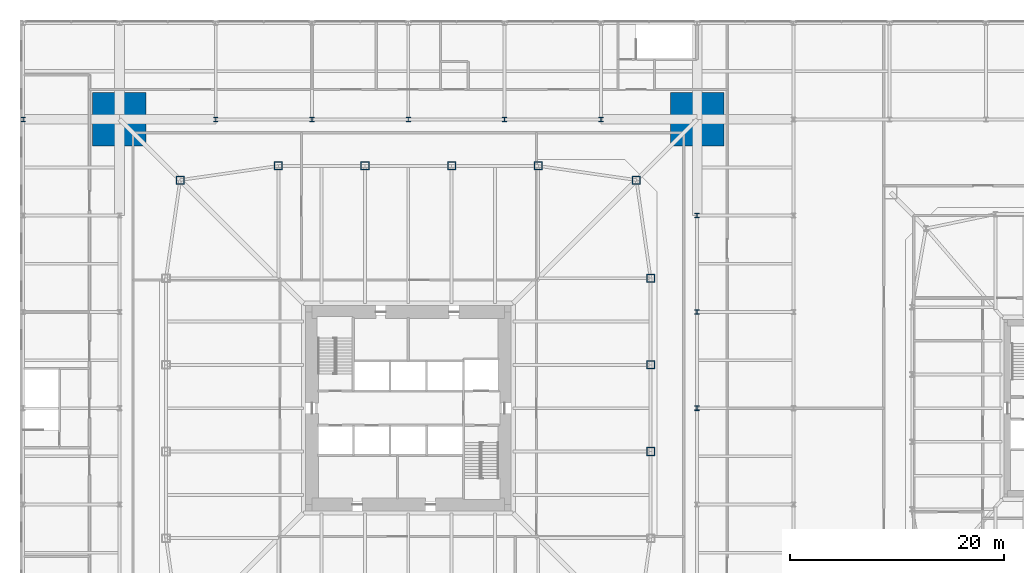
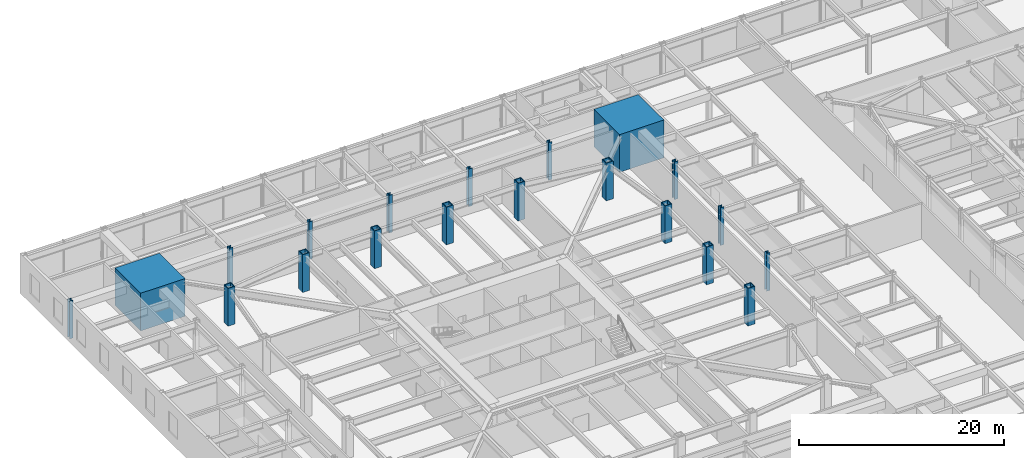
# One storey, part 2 of 30: 20 columns.
"""IFC4 building model written with IfcOpenShell, lengths in metres."""

import ifcopenshell
import ifcopenshell.guid

model = None  # the IFC model being written
_history = None  # IfcOwnerHistory: only IFC2X3 demands one
_inside = {}  # id of a spatial element -> (the spatial element, [elements in it])
_under = {}  # id of a project, library or spatial element -> (it, [spatial elements below it])
_declared = {}  # id of a project -> (the project, [libraries it declares])
_typed = {}  # id of a type object -> (the type object, [elements of that type])
_made_of = {}  # id of a material, layer set ... -> (it, [elements and type objects made of it])


def new_model(schema):
    """Start an empty IFC model of exactly this schema.

    Asked for "IFC4X3", IfcOpenShell would pick the latest addendum, in which some entities
    have other attributes; the version numbers below select the first issue.
    IFC2X3 requires an IfcOwnerHistory on every rooted entity: one is made here for all.
    """
    global model, _history
    if schema == "IFC4X3":
        model = ifcopenshell.file(schema_version=(4, 3, 0, 0))
    else:
        model = ifcopenshell.file(schema=schema)
    _inside.clear()
    _under.clear()
    _declared.clear()
    _typed.clear()
    _made_of.clear()
    _history = None
    if model.schema == "IFC2X3":
        org = make("IfcOrganization", Name="unknown")
        user = make(
            "IfcPersonAndOrganization",
            ThePerson=make("IfcPerson", FamilyName="unknown"),
            TheOrganization=org,
        )
        app = make(
            "IfcApplication",
            ApplicationDeveloper=org,
            Version="unknown",
            ApplicationFullName="unknown",
            ApplicationIdentifier="unknown",
        )
        _history = make(
            "IfcOwnerHistory",
            OwningUser=user,
            OwningApplication=app,
            ChangeAction="ADDED",
            CreationDate=0,
        )
    return model


def make(cls, **values):
    """One entity of the class cls with the attributes given. An attribute that is None is left unset."""
    return model.create_entity(
        cls, **{name: value for name, value in values.items() if value is not None}
    )


def rooted(cls, **values):
    """An entity with a GlobalId (a new one), such as an element, a storey or a relation."""
    return make(cls, GlobalId=ifcopenshell.guid.new(), OwnerHistory=_history, **values)


def si_unit(unit_type, name, prefix=None):
    """IfcSIUnit, for example si_unit("LENGTHUNIT", "METRE", prefix="MILLI")."""
    return make("IfcSIUnit", UnitType=unit_type, Prefix=prefix, Name=name)


def assignment(units):
    """IfcUnitAssignment: the units of a project."""
    return None if units is None else make("IfcUnitAssignment", Units=units)


def point(xyz):
    """IfcCartesianPoint."""
    return None if xyz is None else make("IfcCartesianPoint", Coordinates=xyz)


def direction(xyz):
    """IfcDirection."""
    return None if xyz is None else make("IfcDirection", DirectionRatios=xyz)


def frame(location, z_axis=None, x_axis=None):
    """IfcAxis2Placement3D, a coordinate frame: its origin and axes. An axis left out is left unset."""
    return make(
        "IfcAxis2Placement3D",
        Location=point(location),
        Axis=direction(z_axis),
        RefDirection=direction(x_axis),
    )


def frame_2d(location, x_axis=None):
    """IfcAxis2Placement2D, a coordinate frame in the plane: its origin and x axis."""
    return make(
        "IfcAxis2Placement2D", Location=point(location), RefDirection=direction(x_axis)
    )


def origin():
    """The frame at (0, 0, 0) with its axes left unset."""
    return frame((0.0, 0.0, 0.0))


def origin_2d():
    """The frame at (0, 0) in the plane with its x axis left unset."""
    return frame_2d((0.0, 0.0))


def place(relative_to, where):
    """IfcLocalPlacement: puts the frame where relative to a parent placement (None: the world)."""
    return make(
        "IfcLocalPlacement", PlacementRelTo=relative_to, RelativePlacement=where
    )


def context(
    kind, dimensions, precision=None, world=None, true_north=None, identifier=None
):
    """IfcGeometricRepresentationContext, for example the 3D "Model" context."""
    return make(
        "IfcGeometricRepresentationContext",
        ContextIdentifier=identifier,
        ContextType=kind,
        CoordinateSpaceDimension=dimensions,
        Precision=precision,
        WorldCoordinateSystem=world,
        TrueNorth=true_north,
    )


def subcontext(parent, identifier, kind, view, scale=None):
    """IfcGeometricRepresentationSubContext, for example "Body" below "Model"."""
    return make(
        "IfcGeometricRepresentationSubContext",
        ContextIdentifier=identifier,
        ContextType=kind,
        ParentContext=parent,
        TargetScale=scale,
        TargetView=view,
    )


def project(units=None, contexts=None):
    """IfcProject with its units and contexts."""
    return rooted(
        "IfcProject",
        Name="project",
        RepresentationContexts=contexts,
        UnitsInContext=assignment(units),
    )


def spatial(cls, under=None, at=None, **own):
    """A site, building, storey or space (cls), placed at a placement, below another one or the project."""
    s = rooted(cls, ObjectPlacement=at, **own)
    if under is not None:
        _under.setdefault(under.id(), (under, []))[1].append(s)
    return s


def profile(cls, at=None, kind="AREA", **sizes):
    """A parametric profile (cls). Its sizes go by their IFC names, for example OverallWidth=200.0."""
    return make(cls, ProfileType=kind, Position=at, **sizes)


def rectangle(**sizes):
    """IfcRectangleProfileDef."""
    return profile("IfcRectangleProfileDef", **sizes)


def hollow_rectangle(**sizes):
    """IfcRectangleHollowProfileDef."""
    return profile("IfcRectangleHollowProfileDef", **sizes)


def i_section(**sizes):
    """IfcIShapeProfileDef."""
    return profile("IfcIShapeProfileDef", **sizes)


def extrude(swept, where, along, depth):
    """IfcExtrudedAreaSolid: the profile swept, set in the frame where, extruded along a direction by depth."""
    return make(
        "IfcExtrudedAreaSolid",
        SweptArea=swept,
        Position=where,
        ExtrudedDirection=direction(along),
        Depth=depth,
    )


def shape(context_of_items, identifier, shape_type, items):
    """IfcShapeRepresentation: the items that make up one representation, for example the "Body"."""
    return make(
        "IfcShapeRepresentation",
        ContextOfItems=context_of_items,
        RepresentationIdentifier=identifier,
        RepresentationType=shape_type,
        Items=items,
    )


def material(Name=None, Category=None):
    """IfcMaterial."""
    return make("IfcMaterial", Name=Name, Category=Category)


def material_profile(
    of_material, cross_section, Name=None, Category=None, Priority=None
):
    """IfcMaterialProfile: a cross section and its material."""
    return make(
        "IfcMaterialProfile",
        Name=Name,
        Material=of_material,
        Profile=cross_section,
        Priority=Priority,
        Category=Category,
    )


def profile_set(profiles, Name=None, composite=None):
    """IfcMaterialProfileSet."""
    return make(
        "IfcMaterialProfileSet",
        Name=Name,
        MaterialProfiles=profiles,
        CompositeProfile=composite,
    )


def made_of(thing, what):
    """Note that an element or type object is made of a material, layer set ...; save() writes the relation."""
    if what is not None:
        _made_of.setdefault(what.id(), (what, []))[1].append(thing)
    return thing


def type_object(cls, material=None, **own):
    """A type object (cls), such as IfcWallType, which elements share."""
    return made_of(rooted(cls, **own), material)


def element(
    cls,
    number,
    at=None,
    inside=None,
    cuts=None,
    type_object=None,
    material=None,
    context=None,
    identifier="Body",
    shape_type=None,
    held_by="IfcProductDefinitionShape",
    body=None,
    shapes=None,
    **own,
):
    """One element of the class cls, such as IfcWall. Its Tag is "e" and its number.

    at: its placement. inside: the storey or other place that contains it. cuts: it is an
    opening in that element (IfcRelVoidsElement). A single representation is given by context,
    identifier, shape_type and body (its items); several are given by shapes. held_by: the class
    of the entity that holds the representations. save() writes the other relations.
    """
    e = rooted(cls, Tag="e%d" % number, ObjectPlacement=at, **own)
    if body is not None:
        shapes = [shape(context, identifier, shape_type, body)]
    if shapes is not None:
        e.Representation = make(held_by, Representations=shapes)
    if inside is not None:
        _inside.setdefault(inside.id(), (inside, []))[1].append(e)
    if cuts is not None:
        rooted(
            "IfcRelVoidsElement", RelatingBuildingElement=cuts, RelatedOpeningElement=e
        )
    if type_object is not None:
        _typed.setdefault(type_object.id(), (type_object, []))[1].append(e)
    return made_of(e, material)


def aggregate(whole, parts):
    """IfcRelAggregates: a whole, such as a stair, and the parts it consists of."""
    return rooted("IfcRelAggregates", RelatingObject=whole, RelatedObjects=parts)


def save(model, path):
    """Write the relations noted so far, then the file.

    IfcRelAggregates (storeys below a building ...), IfcRelContainedInSpatialStructure (elements
    in a storey), IfcRelDefinesByType, IfcRelAssociatesMaterial and IfcRelDeclares: one each for
    every whole, place, type object, material and project.
    """
    for whole, parts in _under.values():
        aggregate(whole, parts)
    for where, things in _inside.values():
        rooted(
            "IfcRelContainedInSpatialStructure",
            RelatedElements=things,
            RelatingStructure=where,
        )
    for kind, things in _typed.values():
        rooted("IfcRelDefinesByType", RelatedObjects=things, RelatingType=kind)
    for what, things in _made_of.values():
        rooted("IfcRelAssociatesMaterial", RelatedObjects=things, RelatingMaterial=what)
    for by, libraries in _declared.values():
        rooted("IfcRelDeclares", RelatingContext=by, RelatedDefinitions=libraries)
    model.write(path)


model = new_model("IFC4")

# Units and contexts
model_context = context("Model", 3, precision=1e-05, world=origin(), true_north=direction((0.0, 1.0)))
body_context = subcontext(model_context, "Body", "Model", "MODEL_VIEW")
ifc_project = project(units=[si_unit("LENGTHUNIT", "METRE"), si_unit("AREAUNIT", "SQUARE_METRE"), si_unit("VOLUMEUNIT", "CUBIC_METRE"), si_unit("PLANEANGLEUNIT", "RADIAN"), si_unit("MASSUNIT", "GRAM", prefix="KILO")], contexts=[model_context])

# Site, building, storey
site_placement = place(None, origin())
site = spatial("IfcSite", under=ifc_project, at=site_placement, CompositionType="ELEMENT")
building_placement = place(site_placement, origin())
building = spatial("IfcBuilding", under=site, at=building_placement, Name="Iwan Alto Co-Living Towers", CompositionType="ELEMENT")
storey_placement = place(building_placement, frame((0.0, 0.0, 10.5)))
storey = spatial("IfcBuildingStorey", under=building, at=storey_placement, Name="L02", CompositionType="ELEMENT", Elevation=10.5)

# Columns
ifc_material_1 = material(Name="Steel ASTM A992 Gr 50", Category="steel")
ifc_material_profile_1 = material_profile(ifc_material_1, i_section(OverallWidth=0.411376953125, OverallDepth=0.434326171875, WebThickness=0.035888671875, FlangeThickness=0.057373046875, at=origin_2d()), Name="W14X311")
ifc_profile_set_1 = profile_set([ifc_material_profile_1], Name="Steel ASTM A992 Gr 50")
column_type_1 = type_object("IfcColumnType", Name="PODIUM COLUMN W14X311", PredefinedType="COLUMN", material=ifc_profile_set_1)
for number, where, z_axis, x_axis, name in (
    (1, (-36.0, 27.0, 0.0), (0.0, 0.0, 1.0), (1.0, 0.0, 0.0), "Podium column 1/H L02"),
    (2, (-18.0, 27.0, 0.0), (0.0, 0.0, 1.0), (1.0, 0.0, 0.0), "Podium column 3/H L02"),
    (3, (-9.0, 27.0, 0.0), (0.0, 0.0, 1.0), (1.0, 0.0, 0.0), "Podium column 4/H L02"),
    (4, (0.0, 27.0, 0.0), (0.0, 0.0, 1.0), (1.0, 0.0, 0.0), "Podium column 5/H L02"),
    (5, (9.0, 27.0, 0.0), (0.0, 0.0, 1.0), (1.0, 0.0, 0.0), "Podium column 6/H L02"),
    (6, (18.0, 27.0, 0.0), (0.0, 0.0, 1.0), (1.0, 0.0, 0.0), "Podium column 7/H L02"),
    (7, (27.0, 0.0, 0.0), (0.0, 0.0, 1.0), (1.0, 0.0, 0.0), "Podium column 8/E L02"),
    (8, (27.0, 9.0, 0.0), (0.0, 0.0, 1.0), (1.0, 0.0, 0.0), "Podium column 8/F L02"),
    (9, (27.0, 18.0, 0.0), (0.0, 0.0, 1.0), (1.0, 0.0, 0.0), "Podium column 8/G L02"),
):
    element("IfcColumn", number, at=place(storey_placement, frame(where, z_axis=z_axis, x_axis=x_axis)), inside=storey, type_object=column_type_1, Name=name, PredefinedType="COLUMN", context=body_context, shape_type="SweptSolid", body=[
        extrude(i_section(OverallWidth=0.411376953125, OverallDepth=0.434326171875, WebThickness=0.035888671875, FlangeThickness=0.057373046875, at=origin_2d()), origin(), (0.0, 0.0, 1.0), 4.5),
    ])
ifc_material_2 = material(Name="Concrete f'c 70 MPa", Category="concrete")
ifc_material_profile_2 = material_profile(ifc_material_2, rectangle(XDim=5.0, YDim=5.0, at=origin_2d()), Name="RC 5000X5000")
ifc_profile_set_2 = profile_set([ifc_material_profile_2], Name="Concrete f'c 70 MPa")
column_type_2 = type_object("IfcColumnType", Name="T1 MEGA COLUMN RC 5000X5000", PredefinedType="COLUMN", material=ifc_profile_set_2)
for number, where, z_axis, x_axis, name in (
    (10, (27.0, 27.0, 0.0), (0.0, 0.0, 1.0), (1.0, 0.0, 0.0), "T1 mega column NE L02"),
    (11, (-27.0, 27.0, 0.0), (0.0, 0.0, 1.0), (1.0, 0.0, 0.0), "T1 mega column NW L02"),
):
    element("IfcColumn", number, at=place(storey_placement, frame(where, z_axis=z_axis, x_axis=x_axis)), inside=storey, type_object=column_type_2, Name=name, PredefinedType="COLUMN", context=body_context, shape_type="SweptSolid", body=[
        extrude(rectangle(XDim=5.0, YDim=5.0, at=origin_2d()), origin(), (0.0, 0.0, 1.0), 4.5),
        extrude(i_section(OverallWidth=0.4775390625, OverallDepth=0.599365234375, WebThickness=0.10009765625, FlangeThickness=0.139892578125, at=origin_2d()), origin(), (0.0, 0.0, 1.0), 4.5),
    ])
ifc_material_3 = material(Name="Steel ASTM A572 Gr 50", Category="steel")
ifc_material_profile_3 = material_profile(ifc_material_3, hollow_rectangle(XDim=0.800048828125, YDim=0.800048828125, WallThickness=0.090087890625, at=origin_2d()), Name="BOX 800X800X90")
ifc_profile_set_3 = profile_set([ifc_material_profile_3], Name="Steel ASTM A572 Gr 50")
column_type_3 = type_object("IfcColumnType", Name="T1 RING COLUMN BOX 800X800X90", PredefinedType="COLUMN", material=ifc_profile_set_3)
for number, where, z_axis, x_axis, name in (
    (12, (22.64990234375, -4.050048828125, 0.0), (0.0, 0.0, 1.0), (1.0, 0.0, 0.0), "T1 ring column E2 L02"),
    (13, (22.64990234375, 4.050048828125, 0.0), (0.0, 0.0, 1.0), (1.0, 0.0, 0.0), "T1 ring column E3 L02"),
    (14, (22.64990234375, 12.14990234375, 0.0), (0.0, 0.0, 1.0), (1.0, 0.0, 0.0), "T1 ring column E4 L02"),
    (15, (21.32568359375, 21.32568359375, 0.0), (0.0, 0.0, 1.0), (1.0, 0.0, 0.0), "T1 ring column CNE L02"),
    (16, (12.14990234375, 22.64990234375, 0.0), (0.0, 0.0, 1.0), (1.0, 0.0, 0.0), "T1 ring column N1 L02"),
    (17, (4.050048828125, 22.64990234375, 0.0), (0.0, 0.0, 1.0), (1.0, 0.0, 0.0), "T1 ring column N2 L02"),
    (18, (-4.050048828125, 22.64990234375, 0.0), (0.0, 0.0, 1.0), (1.0, 0.0, 0.0), "T1 ring column N3 L02"),
    (19, (-12.14990234375, 22.64990234375, 0.0), (0.0, 0.0, 1.0), (1.0, 0.0, 0.0), "T1 ring column N4 L02"),
    (20, (-21.32568359375, 21.32568359375, 0.0), (0.0, 0.0, 1.0), (1.0, 0.0, 0.0), "T1 ring column CNW L02"),
):
    element("IfcColumn", number, at=place(storey_placement, frame(where, z_axis=z_axis, x_axis=x_axis)), inside=storey, type_object=column_type_3, Name=name, PredefinedType="COLUMN", context=body_context, shape_type="SweptSolid", body=[
        extrude(hollow_rectangle(XDim=0.800048828125, YDim=0.800048828125, WallThickness=0.090087890625, at=origin_2d()), origin(), (0.0, 0.0, 1.0), 4.5),
    ])

save(model, "model.ifc")
